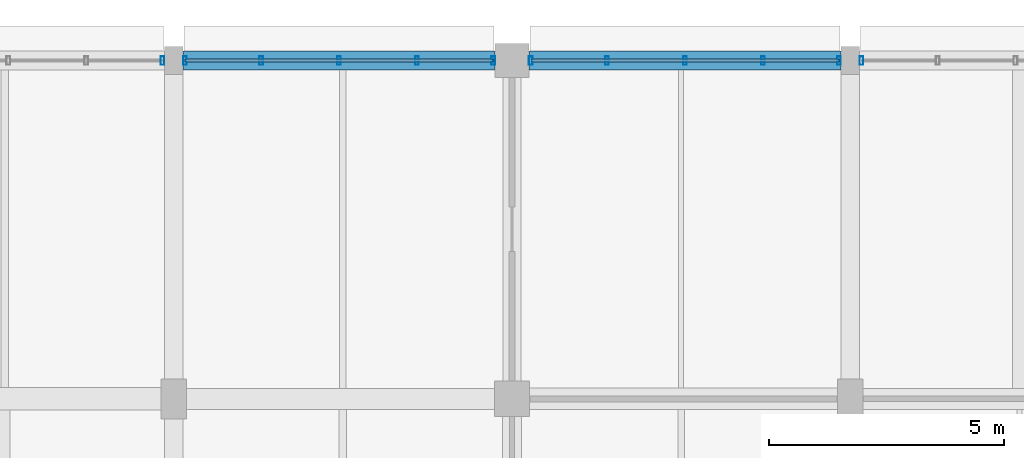
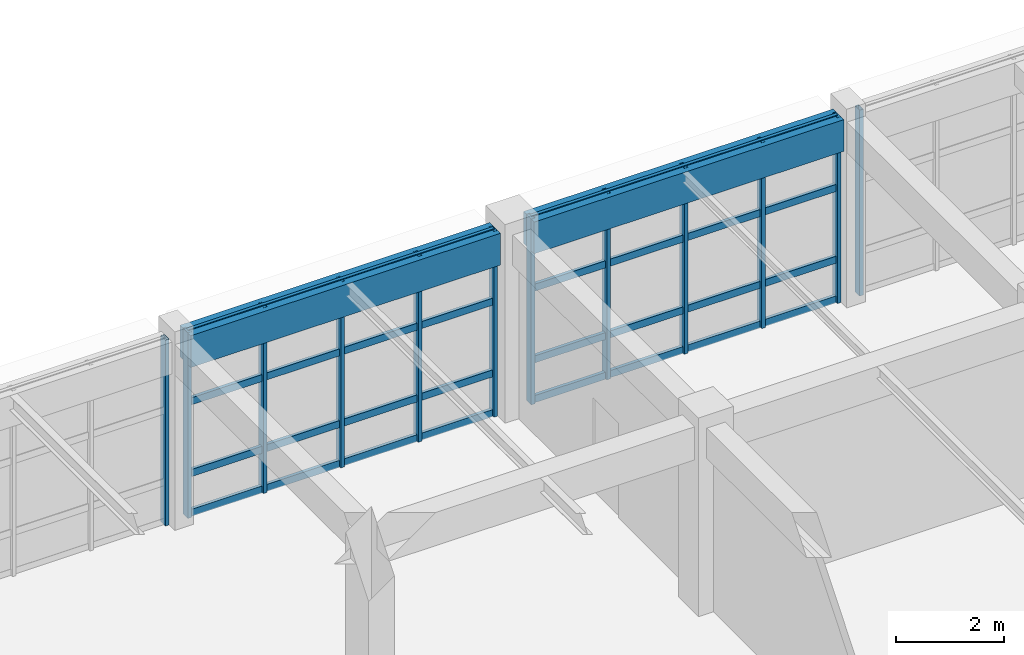
# One storey, part 114 of 171: 20 members, 2 beams, 4 elements without a shape of their own.
"""IFC4 building model written with IfcOpenShell, lengths in metres."""

from ifc_helpers import new_model, si_unit, direction, frame, origin, origin_2d, place, context, subcontext, project, spatial, rectangle, hollow_rectangle, extrude, material, material_profile, profile_set, type_object, element, aggregate, save


model = new_model("IFC4")

# Units and contexts
model_context = context("Model", 3, precision=1e-05, world=origin(), true_north=direction((0.0, 1.0)))
body_context = subcontext(model_context, "Body", "Model", "MODEL_VIEW")
ifc_project = project(units=[si_unit("LENGTHUNIT", "METRE"), si_unit("AREAUNIT", "SQUARE_METRE"), si_unit("VOLUMEUNIT", "CUBIC_METRE"), si_unit("PLANEANGLEUNIT", "RADIAN"), si_unit("MASSUNIT", "GRAM", prefix="KILO")], contexts=[model_context])

# Site, building, storey
site_placement = place(None, origin())
site = spatial("IfcSite", under=ifc_project, at=site_placement, CompositionType="ELEMENT")
building_placement = place(site_placement, origin())
building = spatial("IfcBuilding", under=site, at=building_placement, Name="Thalmaran Polytechnic", CompositionType="ELEMENT")
storey_placement = place(building_placement, frame((0.0, 0.0, 5.39990234375)))
storey = spatial("IfcBuildingStorey", under=building, at=storey_placement, Name="L01", CompositionType="ELEMENT", Elevation=5.39990234375)

# Beams
ifc_material_1 = material(Name="Concrete C40/50", Category="concrete")
ifc_material_profile_1 = material_profile(ifc_material_1, rectangle(XDim=0.39990234375, YDim=0.719970703125, at=origin_2d()), Name="RC 400x720")
ifc_profile_set_1 = profile_set([ifc_material_profile_1], Name="Concrete C40/50")
beam_type = type_object("IfcBeamType", Name="BM-SP01", PredefinedType="SPANDREL", material=ifc_profile_set_1)
beam_1_placement = place(storey_placement, frame((144.199951171875, 122.39990234375, 3.85009765625), z_axis=(1.0, 0.0, 0.0), x_axis=(0.0, 1.0, 0.0)))
element("IfcBeam", 1, at=beam_1_placement, inside=storey, type_object=beam_type, Name="Grid Beam SP01 L01 X(20,17)", PredefinedType="SPANDREL", context=body_context, shape_type="SweptSolid", body=[
    extrude(rectangle(XDim=0.39990234375, YDim=0.719970703125, at=origin_2d()), origin(), (0.0, 0.0, 1.0), 6.64013671875),
])
beam_2_placement = place(storey_placement, frame((151.56005859375, 122.39990234375, 3.85009765625), z_axis=(1.0, 0.0, 0.0), x_axis=(0.0, 1.0, 0.0)))
element("IfcBeam", 2, at=beam_2_placement, inside=storey, type_object=beam_type, Name="Grid Beam SP01 L01 X(21,17)", PredefinedType="SPANDREL", context=body_context, shape_type="SweptSolid", body=[
    extrude(rectangle(XDim=0.39990234375, YDim=0.719970703125, at=origin_2d()), origin(), (0.0, 0.0, 1.0), 6.639892578125),
])

# Curtain wall, member
ifc_material_2 = material(Name="Aluminium 6063-T6", Category="aluminium")
curtain_wall_type = type_object("IfcCurtainWallType", Name="CW-UC02", PredefinedType="USERDEFINED", material=ifc_material_2)
curtain_wall_1_placement = place(storey_placement, origin())
curtain_wall_1 = element("IfcCurtainWall", 3, at=curtain_wall_1_placement, inside=storey, type_object=curtain_wall_type, Name="Curtain Wall CW-L01-098", ObjectType="UNITISED CURTAIN WALL", PredefinedType="USERDEFINED")
ifc_material_profile_2 = material_profile(ifc_material_2, hollow_rectangle(XDim=0.080078125, YDim=0.179931640625, WallThickness=0.0048828125, at=origin_2d()), Name="RHS 180x80x5.0")
ifc_profile_set_2 = profile_set([ifc_material_profile_2], Name="Aluminium 6063-T6")
member_type_1 = type_object("IfcMemberType", Name="CW-MUL1", PredefinedType="MULLION", material=ifc_profile_set_2)
member_1_placement = place(storey_placement, frame((143.760009765625, 122.39990234375, 0.0), z_axis=(0.0, 0.0, 1.0), x_axis=(1.0, 0.0, 0.0)))
member_1 = element("IfcMember", 4, at=member_1_placement, type_object=member_type_1, Name="CW-L01-098 Mullion 5", PredefinedType="MULLION", context=body_context, shape_type="SweptSolid", body=[
    extrude(hollow_rectangle(XDim=0.080078125, YDim=0.179931640625, WallThickness=0.0048828125, at=origin_2d()), origin(), (0.0, 0.0, 1.0), 4.210205078125),
])
aggregate(curtain_wall_1, [member_1])

# Curtain wall, members
curtain_wall_2_placement = place(storey_placement, origin())
curtain_wall_2 = element("IfcCurtainWall", 5, at=curtain_wall_2_placement, inside=storey, type_object=curtain_wall_type, Name="Curtain Wall CW-L01-099", ObjectType="UNITISED CURTAIN WALL", PredefinedType="USERDEFINED")
member_2_placement = place(storey_placement, frame((144.239990234375, 122.39990234375, 0.0), z_axis=(0.0, 0.0, 1.0), x_axis=(1.0, 0.0, 0.0)))
member_2 = element("IfcMember", 6, at=member_2_placement, type_object=member_type_1, Name="CW-L01-099 Mullion 1", PredefinedType="MULLION", context=body_context, shape_type="SweptSolid", body=[
    extrude(hollow_rectangle(XDim=0.080078125, YDim=0.179931640625, WallThickness=0.0048828125, at=origin_2d()), origin(), (0.0, 0.0, 1.0), 4.210205078125),
])
member_3_placement = place(storey_placement, frame((145.860107421875, 122.39990234375, 0.0), z_axis=(0.0, 0.0, 1.0), x_axis=(1.0, 0.0, 0.0)))
member_3 = element("IfcMember", 7, at=member_3_placement, type_object=member_type_1, Name="CW-L01-099 Mullion 2", PredefinedType="MULLION", context=body_context, shape_type="SweptSolid", body=[
    extrude(hollow_rectangle(XDim=0.080078125, YDim=0.179931640625, WallThickness=0.0048828125, at=origin_2d()), origin(), (0.0, 0.0, 1.0), 4.210205078125),
])
member_4_placement = place(storey_placement, frame((147.52001953125, 122.39990234375, 0.0), z_axis=(0.0, 0.0, 1.0), x_axis=(1.0, 0.0, 0.0)))
member_4 = element("IfcMember", 8, at=member_4_placement, type_object=member_type_1, Name="CW-L01-099 Mullion 3", PredefinedType="MULLION", context=body_context, shape_type="SweptSolid", body=[
    extrude(hollow_rectangle(XDim=0.080078125, YDim=0.179931640625, WallThickness=0.0048828125, at=origin_2d()), origin(), (0.0, 0.0, 1.0), 4.210205078125),
])
member_5_placement = place(storey_placement, frame((149.179931640625, 122.39990234375, 0.0), z_axis=(0.0, 0.0, 1.0), x_axis=(1.0, 0.0, 0.0)))
member_5 = element("IfcMember", 9, at=member_5_placement, type_object=member_type_1, Name="CW-L01-099 Mullion 4", PredefinedType="MULLION", context=body_context, shape_type="SweptSolid", body=[
    extrude(hollow_rectangle(XDim=0.080078125, YDim=0.179931640625, WallThickness=0.0048828125, at=origin_2d()), origin(), (0.0, 0.0, 1.0), 4.210205078125),
])
member_6_placement = place(storey_placement, frame((150.800048828125, 122.39990234375, 0.0), z_axis=(0.0, 0.0, 1.0), x_axis=(1.0, 0.0, 0.0)))
member_6 = element("IfcMember", 10, at=member_6_placement, type_object=member_type_1, Name="CW-L01-099 Mullion 5", PredefinedType="MULLION", context=body_context, shape_type="SweptSolid", body=[
    extrude(hollow_rectangle(XDim=0.080078125, YDim=0.179931640625, WallThickness=0.0048828125, at=origin_2d()), origin(), (0.0, 0.0, 1.0), 4.210205078125),
])

curtain_wall_3_placement = place(storey_placement, origin())
curtain_wall_3 = element("IfcCurtainWall", 11, at=curtain_wall_3_placement, inside=storey, type_object=curtain_wall_type, Name="Curtain Wall CW-L01-100", ObjectType="UNITISED CURTAIN WALL", PredefinedType="USERDEFINED")
member_7_placement = place(storey_placement, frame((151.60009765625, 122.39990234375, 0.0), z_axis=(0.0, 0.0, 1.0), x_axis=(1.0, 0.0, 0.0)))
member_7 = element("IfcMember", 12, at=member_7_placement, type_object=member_type_1, Name="CW-L01-100 Mullion 1", PredefinedType="MULLION", context=body_context, shape_type="SweptSolid", body=[
    extrude(hollow_rectangle(XDim=0.080078125, YDim=0.179931640625, WallThickness=0.0048828125, at=origin_2d()), origin(), (0.0, 0.0, 1.0), 4.210205078125),
])
member_8_placement = place(storey_placement, frame((153.219970703125, 122.39990234375, 0.0), z_axis=(0.0, 0.0, 1.0), x_axis=(1.0, 0.0, 0.0)))
member_8 = element("IfcMember", 13, at=member_8_placement, type_object=member_type_1, Name="CW-L01-100 Mullion 2", PredefinedType="MULLION", context=body_context, shape_type="SweptSolid", body=[
    extrude(hollow_rectangle(XDim=0.080078125, YDim=0.179931640625, WallThickness=0.0048828125, at=origin_2d()), origin(), (0.0, 0.0, 1.0), 4.210205078125),
])
member_9_placement = place(storey_placement, frame((154.8798828125, 122.39990234375, 0.0), z_axis=(0.0, 0.0, 1.0), x_axis=(1.0, 0.0, 0.0)))
member_9 = element("IfcMember", 14, at=member_9_placement, type_object=member_type_1, Name="CW-L01-100 Mullion 3", PredefinedType="MULLION", context=body_context, shape_type="SweptSolid", body=[
    extrude(hollow_rectangle(XDim=0.080078125, YDim=0.179931640625, WallThickness=0.0048828125, at=origin_2d()), origin(), (0.0, 0.0, 1.0), 4.210205078125),
])
member_10_placement = place(storey_placement, frame((156.5400390625, 122.39990234375, 0.0), z_axis=(0.0, 0.0, 1.0), x_axis=(1.0, 0.0, 0.0)))
member_10 = element("IfcMember", 15, at=member_10_placement, type_object=member_type_1, Name="CW-L01-100 Mullion 4", PredefinedType="MULLION", context=body_context, shape_type="SweptSolid", body=[
    extrude(hollow_rectangle(XDim=0.080078125, YDim=0.179931640625, WallThickness=0.0048828125, at=origin_2d()), origin(), (0.0, 0.0, 1.0), 4.210205078125),
])
member_11_placement = place(storey_placement, frame((158.159912109375, 122.39990234375, 0.0), z_axis=(0.0, 0.0, 1.0), x_axis=(1.0, 0.0, 0.0)))
member_11 = element("IfcMember", 16, at=member_11_placement, type_object=member_type_1, Name="CW-L01-100 Mullion 5", PredefinedType="MULLION", context=body_context, shape_type="SweptSolid", body=[
    extrude(hollow_rectangle(XDim=0.080078125, YDim=0.179931640625, WallThickness=0.0048828125, at=origin_2d()), origin(), (0.0, 0.0, 1.0), 4.210205078125),
])

# Curtain wall, member
curtain_wall_4_placement = place(storey_placement, origin())
curtain_wall_4 = element("IfcCurtainWall", 17, at=curtain_wall_4_placement, inside=storey, type_object=curtain_wall_type, Name="Curtain Wall CW-L01-101", ObjectType="UNITISED CURTAIN WALL", PredefinedType="USERDEFINED")
member_12_placement = place(storey_placement, frame((158.639892578125, 122.39990234375, 0.0), z_axis=(0.0, 0.0, 1.0), x_axis=(1.0, 0.0, 0.0)))
member_12 = element("IfcMember", 18, at=member_12_placement, type_object=member_type_1, Name="CW-L01-101 Mullion 1", PredefinedType="MULLION", context=body_context, shape_type="SweptSolid", body=[
    extrude(hollow_rectangle(XDim=0.080078125, YDim=0.179931640625, WallThickness=0.0048828125, at=origin_2d()), origin(), (0.0, 0.0, 1.0), 4.210205078125),
])
aggregate(curtain_wall_4, [member_12])

# Member
ifc_material_profile_3 = material_profile(ifc_material_2, hollow_rectangle(XDim=0.070068359375, YDim=0.159912109375, WallThickness=0.00390625, at=origin_2d()), Name="AL 160x70x4.0")
ifc_profile_set_3 = profile_set([ifc_material_profile_3], Name="Aluminium 6063-T6")
member_type_2 = type_object("IfcMemberType", Name="CW-TRN1", PredefinedType="USERDEFINED", material=ifc_profile_set_3)
member_13_placement = place(storey_placement, frame((144.239990234375, 122.39990234375, 0.06005859375), z_axis=(1.0, 0.0, 0.0), x_axis=(0.0, 1.0, 0.0)))
member_13 = element("IfcMember", 19, at=member_13_placement, type_object=member_type_2, Name="CW-L01-099 Transom 1", ObjectType="TRANSOM", PredefinedType="USERDEFINED", context=body_context, shape_type="SweptSolid", body=[
    extrude(hollow_rectangle(XDim=0.070068359375, YDim=0.159912109375, WallThickness=0.00390625, at=origin_2d()), origin(), (0.0, 0.0, 1.0), 6.56005859375),
])

member_14_placement = place(storey_placement, frame((144.239990234375, 122.39990234375, 0.960205078125), z_axis=(1.0, 0.0, 0.0), x_axis=(0.0, 1.0, 0.0)))
member_14 = element("IfcMember", 20, at=member_14_placement, type_object=member_type_2, Name="CW-L01-099 Transom 2", ObjectType="TRANSOM", PredefinedType="USERDEFINED", context=body_context, shape_type="SweptSolid", body=[
    extrude(hollow_rectangle(XDim=0.070068359375, YDim=0.159912109375, WallThickness=0.00390625, at=origin_2d()), origin(), (0.0, 0.0, 1.0), 6.56005859375),
])

member_15_placement = place(storey_placement, frame((144.239990234375, 122.39990234375, 2.585205078125), z_axis=(1.0, 0.0, 0.0), x_axis=(0.0, 1.0, 0.0)))
member_15 = element("IfcMember", 21, at=member_15_placement, type_object=member_type_2, Name="CW-L01-099 Transom 3", ObjectType="TRANSOM", PredefinedType="USERDEFINED", context=body_context, shape_type="SweptSolid", body=[
    extrude(hollow_rectangle(XDim=0.070068359375, YDim=0.159912109375, WallThickness=0.00390625, at=origin_2d()), origin(), (0.0, 0.0, 1.0), 6.56005859375),
])

member_16_placement = place(storey_placement, frame((144.239990234375, 122.39990234375, 4.150146484375), z_axis=(1.0, 0.0, 0.0), x_axis=(0.0, 1.0, 0.0)))
member_16 = element("IfcMember", 22, at=member_16_placement, type_object=member_type_2, Name="CW-L01-099 Transom 4", ObjectType="TRANSOM", PredefinedType="USERDEFINED", context=body_context, shape_type="SweptSolid", body=[
    extrude(hollow_rectangle(XDim=0.070068359375, YDim=0.159912109375, WallThickness=0.00390625, at=origin_2d()), origin(), (0.0, 0.0, 1.0), 6.56005859375),
])

aggregate(curtain_wall_2, [member_2, member_3, member_4, member_5, member_6, member_13, member_14, member_15, member_16])

member_17_placement = place(storey_placement, frame((151.60009765625, 122.39990234375, 0.06005859375), z_axis=(1.0, 0.0, 0.0), x_axis=(0.0, 1.0, 0.0)))
member_17 = element("IfcMember", 23, at=member_17_placement, type_object=member_type_2, Name="CW-L01-100 Transom 1", ObjectType="TRANSOM", PredefinedType="USERDEFINED", context=body_context, shape_type="SweptSolid", body=[
    extrude(hollow_rectangle(XDim=0.070068359375, YDim=0.159912109375, WallThickness=0.00390625, at=origin_2d()), origin(), (0.0, 0.0, 1.0), 6.559814453125),
])

member_18_placement = place(storey_placement, frame((151.60009765625, 122.39990234375, 0.960205078125), z_axis=(1.0, 0.0, 0.0), x_axis=(0.0, 1.0, 0.0)))
member_18 = element("IfcMember", 24, at=member_18_placement, type_object=member_type_2, Name="CW-L01-100 Transom 2", ObjectType="TRANSOM", PredefinedType="USERDEFINED", context=body_context, shape_type="SweptSolid", body=[
    extrude(hollow_rectangle(XDim=0.070068359375, YDim=0.159912109375, WallThickness=0.00390625, at=origin_2d()), origin(), (0.0, 0.0, 1.0), 6.559814453125),
])

member_19_placement = place(storey_placement, frame((151.60009765625, 122.39990234375, 2.585205078125), z_axis=(1.0, 0.0, 0.0), x_axis=(0.0, 1.0, 0.0)))
member_19 = element("IfcMember", 25, at=member_19_placement, type_object=member_type_2, Name="CW-L01-100 Transom 3", ObjectType="TRANSOM", PredefinedType="USERDEFINED", context=body_context, shape_type="SweptSolid", body=[
    extrude(hollow_rectangle(XDim=0.070068359375, YDim=0.159912109375, WallThickness=0.00390625, at=origin_2d()), origin(), (0.0, 0.0, 1.0), 6.559814453125),
])

member_20_placement = place(storey_placement, frame((151.60009765625, 122.39990234375, 4.150146484375), z_axis=(1.0, 0.0, 0.0), x_axis=(0.0, 1.0, 0.0)))
member_20 = element("IfcMember", 26, at=member_20_placement, type_object=member_type_2, Name="CW-L01-100 Transom 4", ObjectType="TRANSOM", PredefinedType="USERDEFINED", context=body_context, shape_type="SweptSolid", body=[
    extrude(hollow_rectangle(XDim=0.070068359375, YDim=0.159912109375, WallThickness=0.00390625, at=origin_2d()), origin(), (0.0, 0.0, 1.0), 6.559814453125),
])

aggregate(curtain_wall_3, [member_7, member_8, member_9, member_10, member_11, member_17, member_18, member_19, member_20])

save(model, "model.ifc")
